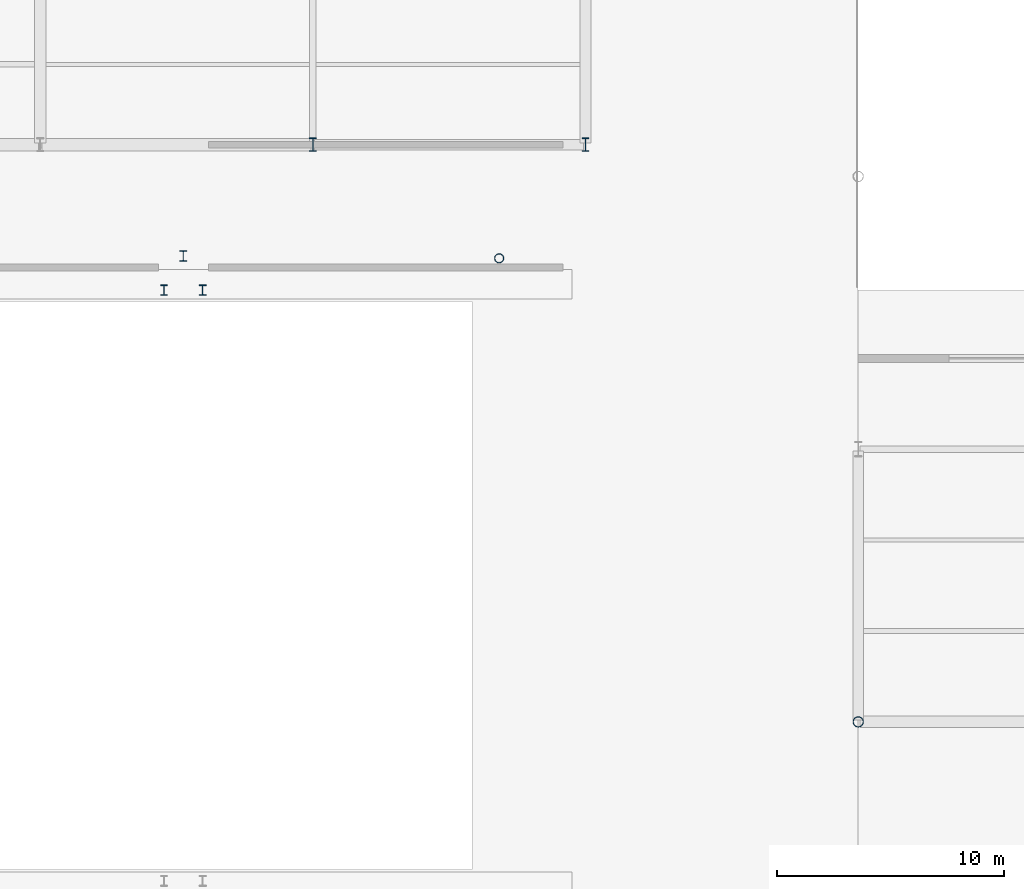
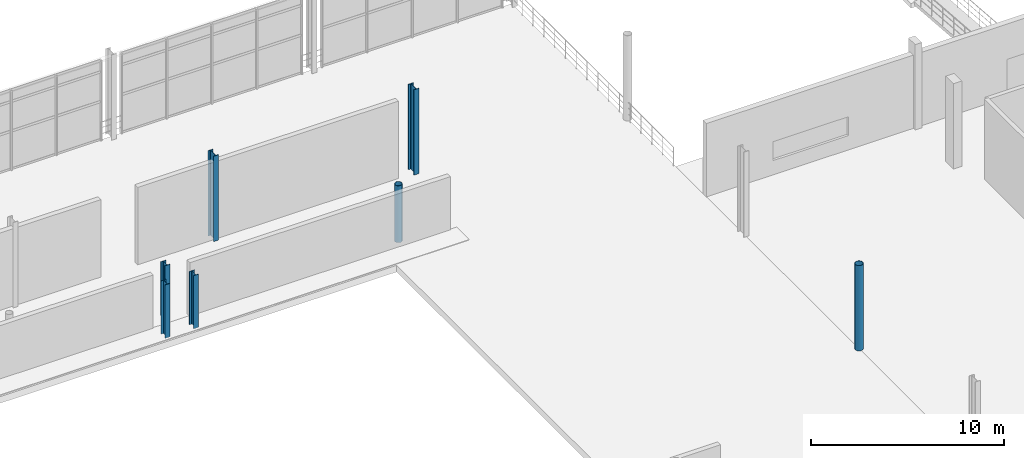
# One storey, part 7 of 85: 7 columns.
"""IFC4 building model written with IfcOpenShell, lengths in metres."""

from ifc_helpers import new_model, si_unit, direction, frame, origin, origin_2d, place, context, subcontext, project, spatial, hollow_circle, i_section, extrude, material, material_profile, profile_set, type_object, element, save


model = new_model("IFC4")

# Units and contexts
model_context = context("Model", 3, precision=1e-05, world=origin(), true_north=direction((0.0, 1.0)))
body_context = subcontext(model_context, "Body", "Model", "MODEL_VIEW")
ifc_project = project(units=[si_unit("LENGTHUNIT", "METRE"), si_unit("AREAUNIT", "SQUARE_METRE"), si_unit("VOLUMEUNIT", "CUBIC_METRE"), si_unit("PLANEANGLEUNIT", "RADIAN"), si_unit("MASSUNIT", "GRAM", prefix="KILO"), si_unit("THERMODYNAMICTEMPERATUREUNIT", "KELVIN"), si_unit("POWERUNIT", "WATT")], contexts=[model_context])

# Site, building, storey
site_placement = place(None, origin())
site = spatial("IfcSite", under=ifc_project, at=site_placement, CompositionType="ELEMENT")
building_placement = place(site_placement, origin())
building = spatial("IfcBuilding", under=site, at=building_placement, Name="Solmara Park Aquatics Centre", CompositionType="ELEMENT")
storey_placement = place(building_placement, origin())
storey = spatial("IfcBuildingStorey", under=building, at=storey_placement, Name="L00", CompositionType="ELEMENT", Elevation=0.0)

# Columns
ifc_material = material(Name="Structural Steel S355", Category="steel")
ifc_material_profile_1 = material_profile(ifc_material, hollow_circle(Radius=0.203125, WallThickness=0.01611328125, at=origin_2d()), Name="CHS 406.4x16")
ifc_profile_set_1 = profile_set([ifc_material_profile_1], Name="Structural Steel S355")
column_type_1 = type_object("IfcColumnType", Name="STR-COL-CHS406", PredefinedType="COLUMN", material=ifc_profile_set_1)
column_1_placement = place(storey_placement, frame((80.800048828125, 57.0, 0.0), z_axis=(0.0, 0.0, 1.0), x_axis=(1.0, 0.0, 0.0)))
element("IfcColumn", 1, at=column_1_placement, inside=storey, type_object=column_type_1, Name="Upper Stand Front Column L00 N2-2", PredefinedType="COLUMN", context=body_context, shape_type="SweptSolid", body=[
    extrude(hollow_circle(Radius=0.203125, WallThickness=0.01611328125, at=origin_2d()), origin(), (0.0, 0.0, 1.0), 3.60009765625),
])
ifc_material_profile_2 = material_profile(ifc_material, hollow_circle(Radius=0.228515625, WallThickness=0.01611328125, at=origin_2d()), Name="CHS 457x16")
ifc_profile_set_2 = profile_set([ifc_material_profile_2], Name="Structural Steel S355")
column_type_2 = type_object("IfcColumnType", Name="STR-COL-CHS457", PredefinedType="COLUMN", material=ifc_profile_set_2)
column_2_placement = place(storey_placement, frame((96.60009765625, 36.60009765625, 0.0), z_axis=(0.0, 0.0, 1.0), x_axis=(1.0, 0.0, 0.0)))
element("IfcColumn", 2, at=column_2_placement, inside=storey, type_object=column_type_2, Name="Column L00-0231", PredefinedType="COLUMN", context=body_context, shape_type="SweptSolid", body=[
    extrude(hollow_circle(Radius=0.228515625, WallThickness=0.01611328125, at=origin_2d()), origin(), (0.0, 0.0, 1.0), 5.39990234375),
])
ifc_material_profile_3 = material_profile(ifc_material, i_section(OverallWidth=0.300048828125, OverallDepth=0.449951171875, WebThickness=0.013916015625, FlangeThickness=0.02587890625, FilletRadius=0.027099609375, at=origin_2d()), Name="HEB 450")
ifc_profile_set_3 = profile_set([ifc_material_profile_3], Name="Structural Steel S355")
column_type_3 = type_object("IfcColumnType", Name="STR-COL-HEB450", PredefinedType="COLUMN", material=ifc_profile_set_3)
for number, where, z_axis, x_axis, name in (
    (3, (66.050048828125, 55.60009765625, 0.0), (0.0, 0.0, 1.0), (1.0, 0.0, 0.0), "Vomitory Stair VS-02 Support Column 1"),
    (4, (67.75, 55.60009765625, 0.0), (0.0, 0.0, 1.0), (1.0, 0.0, 0.0), "Vomitory Stair VS-02 Support Column 2"),
    (5, (66.89990234375, 57.10009765625, 0.0), (0.0, 0.0, 1.0), (1.0, 0.0, 0.0), "Vomitory Stair VS-02 Support Column 3"),
):
    element("IfcColumn", number, at=place(storey_placement, frame(where, z_axis=z_axis, x_axis=x_axis)), inside=storey, type_object=column_type_3, Name=name, PredefinedType="COLUMN", context=body_context, shape_type="SweptSolid", body=[
        extrude(i_section(OverallWidth=0.300048828125, OverallDepth=0.449951171875, WebThickness=0.013916015625, FlangeThickness=0.02587890625, FilletRadius=0.027099609375, at=origin_2d()), origin(), (0.0, 0.0, 1.0), 3.3798828125),
    ])
ifc_material_profile_4 = material_profile(ifc_material, i_section(OverallWidth=0.300048828125, OverallDepth=0.60009765625, WebThickness=0.015380859375, FlangeThickness=0.030029296875, FilletRadius=0.027099609375, at=origin_2d()), Name="HEB 600")
ifc_profile_set_4 = profile_set([ifc_material_profile_4], Name="Structural Steel S355")
column_type_4 = type_object("IfcColumnType", Name="STR-COL-HEB600", PredefinedType="COLUMN", material=ifc_profile_set_4)
for number, where, z_axis, x_axis, name in (
    (6, (72.60009765625, 62.0, 0.0), (0.0, 0.0, 1.0), (1.0, 0.0, 0.0), "Column L00-0215"),
    (7, (84.60009765625, 62.0, 0.0), (0.0, 0.0, 1.0), (1.0, 0.0, 0.0), "Column L00-0223"),
):
    element("IfcColumn", number, at=place(storey_placement, frame(where, z_axis=z_axis, x_axis=x_axis)), inside=storey, type_object=column_type_4, Name=name, PredefinedType="COLUMN", context=body_context, shape_type="SweptSolid", body=[
        extrude(i_section(OverallWidth=0.300048828125, OverallDepth=0.60009765625, WebThickness=0.015380859375, FlangeThickness=0.030029296875, FilletRadius=0.027099609375, at=origin_2d()), origin(), (0.0, 0.0, 1.0), 5.39990234375),
    ])

save(model, "model.ifc")
